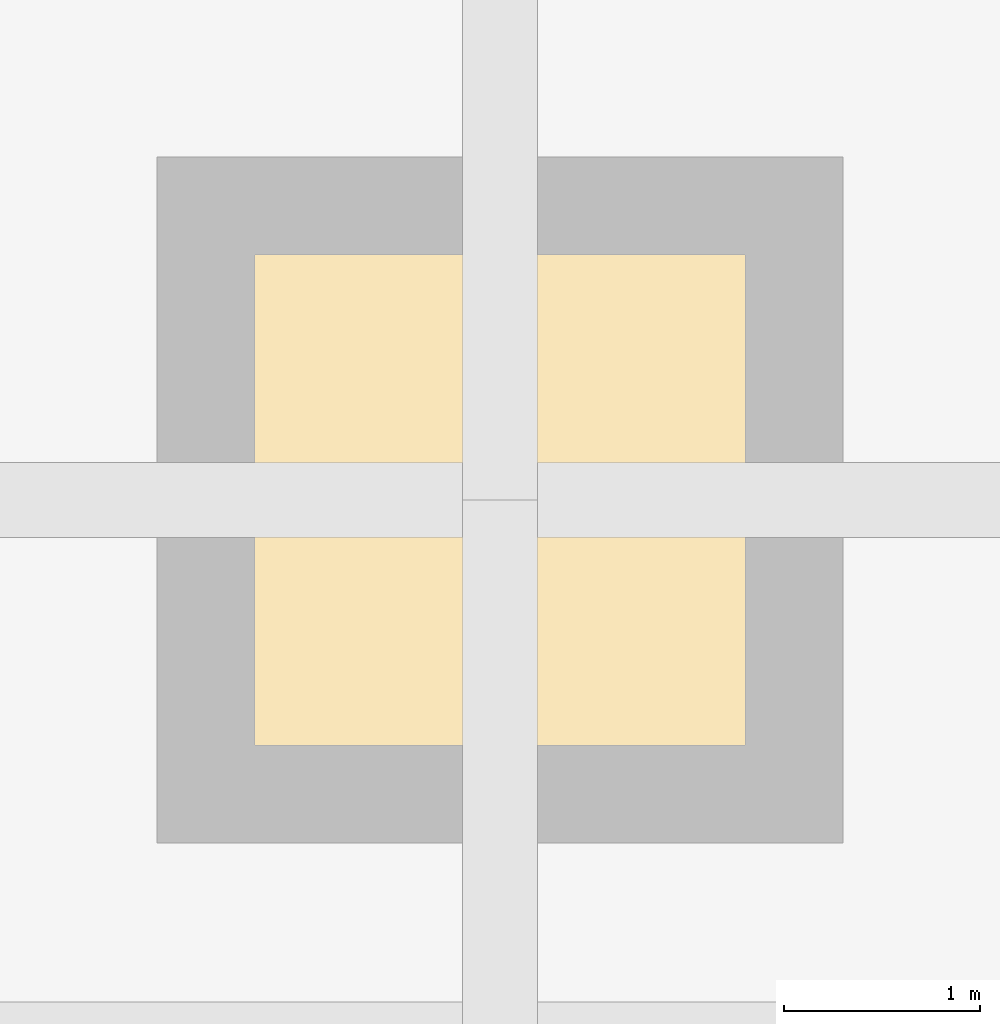
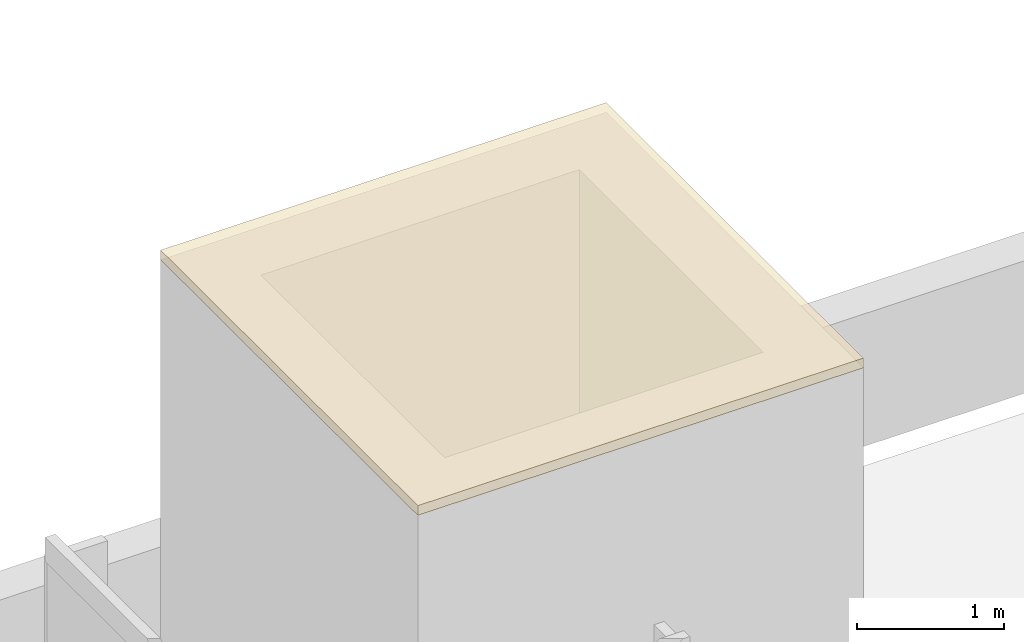
# One storey, part 20 of 20: 1 covering.
"""IFC4 building model written with IfcOpenShell, lengths in metres."""

import ifcopenshell
import ifcopenshell.guid

model = None  # the IFC model being written
_history = None  # IfcOwnerHistory: only IFC2X3 demands one
_inside = {}  # id of a spatial element -> (the spatial element, [elements in it])
_under = {}  # id of a project, library or spatial element -> (it, [spatial elements below it])
_declared = {}  # id of a project -> (the project, [libraries it declares])
_typed = {}  # id of a type object -> (the type object, [elements of that type])
_made_of = {}  # id of a material, layer set ... -> (it, [elements and type objects made of it])


def new_model(schema):
    """Start an empty IFC model of exactly this schema.

    Asked for "IFC4X3", IfcOpenShell would pick the latest addendum, in which some entities
    have other attributes; the version numbers below select the first issue.
    IFC2X3 requires an IfcOwnerHistory on every rooted entity: one is made here for all.
    """
    global model, _history
    if schema == "IFC4X3":
        model = ifcopenshell.file(schema_version=(4, 3, 0, 0))
    else:
        model = ifcopenshell.file(schema=schema)
    _inside.clear()
    _under.clear()
    _declared.clear()
    _typed.clear()
    _made_of.clear()
    _history = None
    if model.schema == "IFC2X3":
        org = make("IfcOrganization", Name="unknown")
        user = make(
            "IfcPersonAndOrganization",
            ThePerson=make("IfcPerson", FamilyName="unknown"),
            TheOrganization=org,
        )
        app = make(
            "IfcApplication",
            ApplicationDeveloper=org,
            Version="unknown",
            ApplicationFullName="unknown",
            ApplicationIdentifier="unknown",
        )
        _history = make(
            "IfcOwnerHistory",
            OwningUser=user,
            OwningApplication=app,
            ChangeAction="ADDED",
            CreationDate=0,
        )
    return model


def make(cls, **values):
    """One entity of the class cls with the attributes given. An attribute that is None is left unset."""
    return model.create_entity(
        cls, **{name: value for name, value in values.items() if value is not None}
    )


def rooted(cls, **values):
    """An entity with a GlobalId (a new one), such as an element, a storey or a relation."""
    return make(cls, GlobalId=ifcopenshell.guid.new(), OwnerHistory=_history, **values)


def si_unit(unit_type, name, prefix=None):
    """IfcSIUnit, for example si_unit("LENGTHUNIT", "METRE", prefix="MILLI")."""
    return make("IfcSIUnit", UnitType=unit_type, Prefix=prefix, Name=name)


def assignment(units):
    """IfcUnitAssignment: the units of a project."""
    return None if units is None else make("IfcUnitAssignment", Units=units)


def point(xyz):
    """IfcCartesianPoint."""
    return None if xyz is None else make("IfcCartesianPoint", Coordinates=xyz)


def direction(xyz):
    """IfcDirection."""
    return None if xyz is None else make("IfcDirection", DirectionRatios=xyz)


def frame(location, z_axis=None, x_axis=None):
    """IfcAxis2Placement3D, a coordinate frame: its origin and axes. An axis left out is left unset."""
    return make(
        "IfcAxis2Placement3D",
        Location=point(location),
        Axis=direction(z_axis),
        RefDirection=direction(x_axis),
    )


def origin():
    """The frame at (0, 0, 0) with its axes left unset."""
    return frame((0.0, 0.0, 0.0))


def place(relative_to, where):
    """IfcLocalPlacement: puts the frame where relative to a parent placement (None: the world)."""
    return make(
        "IfcLocalPlacement", PlacementRelTo=relative_to, RelativePlacement=where
    )


def context(
    kind, dimensions, precision=None, world=None, true_north=None, identifier=None
):
    """IfcGeometricRepresentationContext, for example the 3D "Model" context."""
    return make(
        "IfcGeometricRepresentationContext",
        ContextIdentifier=identifier,
        ContextType=kind,
        CoordinateSpaceDimension=dimensions,
        Precision=precision,
        WorldCoordinateSystem=world,
        TrueNorth=true_north,
    )


def subcontext(parent, identifier, kind, view, scale=None):
    """IfcGeometricRepresentationSubContext, for example "Body" below "Model"."""
    return make(
        "IfcGeometricRepresentationSubContext",
        ContextIdentifier=identifier,
        ContextType=kind,
        ParentContext=parent,
        TargetScale=scale,
        TargetView=view,
    )


def project(units=None, contexts=None):
    """IfcProject with its units and contexts."""
    return rooted(
        "IfcProject",
        Name="project",
        RepresentationContexts=contexts,
        UnitsInContext=assignment(units),
    )


def spatial(cls, under=None, at=None, **own):
    """A site, building, storey or space (cls), placed at a placement, below another one or the project."""
    s = rooted(cls, ObjectPlacement=at, **own)
    if under is not None:
        _under.setdefault(under.id(), (under, []))[1].append(s)
    return s


def polyline(points):
    """IfcPolyline through the points."""
    return make("IfcPolyline", Points=[point(p) for p in points])


def outline(outer, holes=None, kind="AREA"):
    """IfcArbitraryClosedProfileDef: a profile drawn as a closed curve; with holes, ...WithVoids."""
    if holes is None:
        return make("IfcArbitraryClosedProfileDef", ProfileType=kind, OuterCurve=outer)
    return make(
        "IfcArbitraryProfileDefWithVoids",
        ProfileType=kind,
        OuterCurve=outer,
        InnerCurves=holes,
    )


def extrude(swept, where, along, depth):
    """IfcExtrudedAreaSolid: the profile swept, set in the frame where, extruded along a direction by depth."""
    return make(
        "IfcExtrudedAreaSolid",
        SweptArea=swept,
        Position=where,
        ExtrudedDirection=direction(along),
        Depth=depth,
    )


def shape(context_of_items, identifier, shape_type, items):
    """IfcShapeRepresentation: the items that make up one representation, for example the "Body"."""
    return make(
        "IfcShapeRepresentation",
        ContextOfItems=context_of_items,
        RepresentationIdentifier=identifier,
        RepresentationType=shape_type,
        Items=items,
    )


def material(Name=None, Category=None):
    """IfcMaterial."""
    return make("IfcMaterial", Name=Name, Category=Category)


def layer(
    of_material, thickness, ventilated=None, Name=None, Category=None, Priority=None
):
    """IfcMaterialLayer: one layer of a wall or slab, of a material (None: an air gap)."""
    return make(
        "IfcMaterialLayer",
        Material=of_material,
        LayerThickness=thickness,
        IsVentilated=ventilated,
        Name=Name,
        Category=Category,
        Priority=Priority,
    )


def layer_set(layers, Name=None):
    """IfcMaterialLayerSet."""
    return make("IfcMaterialLayerSet", MaterialLayers=layers, LayerSetName=Name)


def made_of(thing, what):
    """Note that an element or type object is made of a material, layer set ...; save() writes the relation."""
    if what is not None:
        _made_of.setdefault(what.id(), (what, []))[1].append(thing)
    return thing


def type_object(cls, material=None, **own):
    """A type object (cls), such as IfcWallType, which elements share."""
    return made_of(rooted(cls, **own), material)


def element(
    cls,
    number,
    at=None,
    inside=None,
    cuts=None,
    type_object=None,
    material=None,
    context=None,
    identifier="Body",
    shape_type=None,
    held_by="IfcProductDefinitionShape",
    body=None,
    shapes=None,
    **own,
):
    """One element of the class cls, such as IfcWall. Its Tag is "e" and its number.

    at: its placement. inside: the storey or other place that contains it. cuts: it is an
    opening in that element (IfcRelVoidsElement). A single representation is given by context,
    identifier, shape_type and body (its items); several are given by shapes. held_by: the class
    of the entity that holds the representations. save() writes the other relations.
    """
    e = rooted(cls, Tag="e%d" % number, ObjectPlacement=at, **own)
    if body is not None:
        shapes = [shape(context, identifier, shape_type, body)]
    if shapes is not None:
        e.Representation = make(held_by, Representations=shapes)
    if inside is not None:
        _inside.setdefault(inside.id(), (inside, []))[1].append(e)
    if cuts is not None:
        rooted(
            "IfcRelVoidsElement", RelatingBuildingElement=cuts, RelatedOpeningElement=e
        )
    if type_object is not None:
        _typed.setdefault(type_object.id(), (type_object, []))[1].append(e)
    return made_of(e, material)


def aggregate(whole, parts):
    """IfcRelAggregates: a whole, such as a stair, and the parts it consists of."""
    return rooted("IfcRelAggregates", RelatingObject=whole, RelatedObjects=parts)


def save(model, path):
    """Write the relations noted so far, then the file.

    IfcRelAggregates (storeys below a building ...), IfcRelContainedInSpatialStructure (elements
    in a storey), IfcRelDefinesByType, IfcRelAssociatesMaterial and IfcRelDeclares: one each for
    every whole, place, type object, material and project.
    """
    for whole, parts in _under.values():
        aggregate(whole, parts)
    for where, things in _inside.values():
        rooted(
            "IfcRelContainedInSpatialStructure",
            RelatedElements=things,
            RelatingStructure=where,
        )
    for kind, things in _typed.values():
        rooted("IfcRelDefinesByType", RelatedObjects=things, RelatingType=kind)
    for what, things in _made_of.values():
        rooted("IfcRelAssociatesMaterial", RelatedObjects=things, RelatingMaterial=what)
    for by, libraries in _declared.values():
        rooted("IfcRelDeclares", RelatingContext=by, RelatedDefinitions=libraries)
    model.write(path)


model = new_model("IFC4")

# Units and contexts
model_context = context("Model", 3, precision=1e-05, world=origin(), true_north=direction((0.0, 1.0)))
body_context = subcontext(model_context, "Body", "Model", "MODEL_VIEW")
ifc_project = project(units=[si_unit("LENGTHUNIT", "METRE"), si_unit("AREAUNIT", "SQUARE_METRE"), si_unit("VOLUMEUNIT", "CUBIC_METRE"), si_unit("PLANEANGLEUNIT", "RADIAN"), si_unit("MASSUNIT", "GRAM", prefix="KILO")], contexts=[model_context])

# Site, building, storey
site_placement = place(None, origin())
site = spatial("IfcSite", under=ifc_project, at=site_placement, CompositionType="ELEMENT")
building_placement = place(site_placement, origin())
building = spatial("IfcBuilding", under=site, at=building_placement, Name="Daluyong Arena Tower", CompositionType="ELEMENT")
storey_placement = place(building_placement, frame((0.0, 0.0, 25.89990234375)))
storey = spatial("IfcBuildingStorey", under=building, at=storey_placement, Name="L05", CompositionType="ELEMENT", Elevation=25.89990234375)

# Covering
ifc_material = material(Name="Steel ASTM A572 Grade 50", Category="steel")
ifc_layer = layer(ifc_material, 0.080078125)
ifc_layer_set = layer_set([ifc_layer], Name="Steel ASTM A572 Grade 50")
covering_type = type_object("IfcCoveringType", Name="Megacolumn cap plate 80", PredefinedType="USERDEFINED", material=ifc_layer_set)
covering_placement = place(storey_placement, frame((0.0, 0.0, 8.7001953125)))
element("IfcCovering", 1, at=covering_placement, inside=storey, type_object=covering_type, Name="megacolumn cap plate 4", ObjectType="CAP PLATE", PredefinedType="USERDEFINED", context=body_context, shape_type="SweptSolid", body=[
    extrude(outline(polyline([(78.25, 102.25), (81.75, 102.25), (81.75, 105.75), (78.25, 105.75), (78.25, 102.25)])), origin(), (0.0, 0.0, 1.0), 0.079833984375),
])

save(model, "model.ifc")
